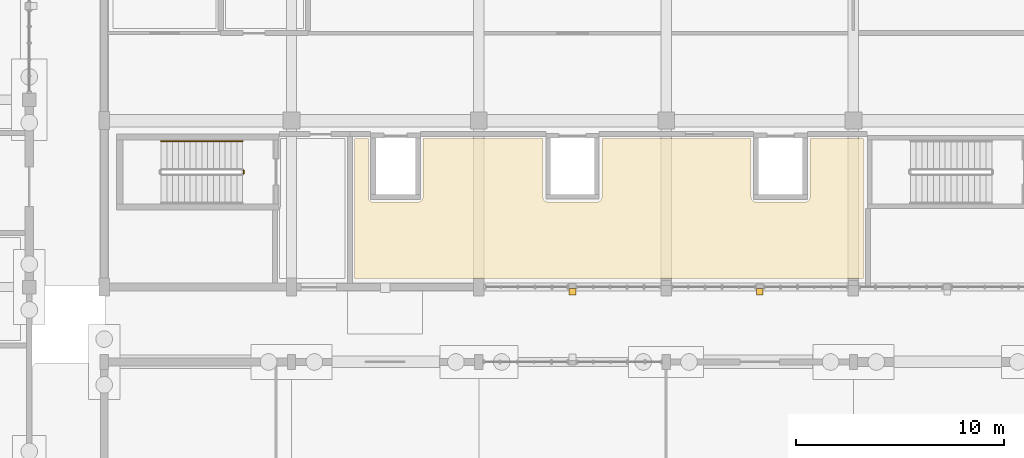
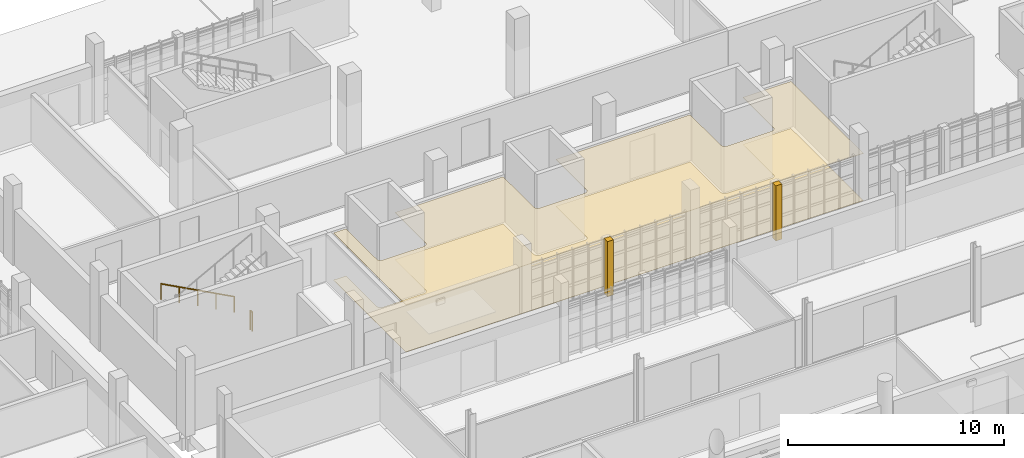
# One storey, part 55 of 63: 4 coverings, 2 railings.
"""IFC4 building model written with IfcOpenShell, lengths in metres."""

from ifc_helpers import new_model, si_unit, direction, frame, origin, origin_2d, place, context, subcontext, project, spatial, polyline, circle, outline, extrude, material, layer, layer_set, type_object, element, save


model = new_model("IFC4")

# Units and contexts
model_context = context("Model", 3, precision=1e-05, world=origin(), true_north=direction((0.0, 1.0)))
body_context = subcontext(model_context, "Body", "Model", "MODEL_VIEW")
ifc_project = project(units=[si_unit("LENGTHUNIT", "METRE"), si_unit("AREAUNIT", "SQUARE_METRE"), si_unit("VOLUMEUNIT", "CUBIC_METRE"), si_unit("PLANEANGLEUNIT", "RADIAN"), si_unit("MASSUNIT", "GRAM", prefix="KILO")], contexts=[model_context])

# Site, building, storey
site_placement = place(None, origin())
site = spatial("IfcSite", under=ifc_project, at=site_placement, CompositionType="ELEMENT")
building_placement = place(site_placement, origin())
building = spatial("IfcBuilding", under=site, at=building_placement, Name="Serraforn Aerial Cableway Station", CompositionType="ELEMENT")
storey_placement = place(building_placement, origin())
storey = spatial("IfcBuildingStorey", under=building, at=storey_placement, Name="L00", CompositionType="ELEMENT", Elevation=0.0)

# Coverings
ifc_material_1 = material(Name="Fluted patinated bronze Art Deco pilaster cladding")
ifc_layer_1 = layer(ifc_material_1, 0.034912109375)
ifc_layer_set_1 = layer_set([ifc_layer_1], Name="Fluted patinated bronze Art Deco pilaster cladding")
covering_type_1 = type_object("IfcCoveringType", Name="COV-CLAD-BRZ", PredefinedType="CLADDING", material=ifc_layer_set_1)
covering_1_placement = place(storey_placement, origin())
element("IfcCovering", 1, at=covering_1_placement, inside=storey, type_object=covering_type_1, Name="Art Deco Bronze Pilaster Cladding CV-L00-S3", PredefinedType="CLADDING", context=body_context, shape_type="SweptSolid", body=[
    extrude(outline(polyline([(49.93994140625, 17.6201171875), (50.260009765625, 17.6201171875), (50.260009765625, 17.93994140625), (49.93994140625, 17.93994140625), (49.93994140625, 17.6201171875)])), origin(), (0.0, 0.0, 1.0), 3.1201171875),
])
covering_2_placement = place(storey_placement, origin())
element("IfcCovering", 2, at=covering_2_placement, inside=storey, type_object=covering_type_1, Name="Art Deco Bronze Pilaster Cladding CV-L00-S4", PredefinedType="CLADDING", context=body_context, shape_type="SweptSolid", body=[
    extrude(outline(polyline([(58.93994140625, 17.6201171875), (59.260009765625, 17.6201171875), (59.260009765625, 17.93994140625), (58.93994140625, 17.93994140625), (58.93994140625, 17.6201171875)])), origin(), (0.0, 0.0, 1.0), 3.1201171875),
])
ifc_material_2 = material(Name="Fire-protective gypsum board ceiling")
ifc_layer_2 = layer(ifc_material_2, 0.02001953125)
ifc_layer_set_2 = layer_set([ifc_layer_2], Name="Fire-protective gypsum board ceiling")
covering_type_2 = type_object("IfcCoveringType", Name="COV-CLG-GYP", PredefinedType="CEILING", material=ifc_layer_set_2)
covering_3_placement = place(storey_placement, frame((0.0, 0.0, 2.659912109375)))
element("IfcCovering", 3, at=covering_3_placement, inside=storey, type_object=covering_type_2, Name="Suspended Ceiling L00-14", PredefinedType="CEILING", context=body_context, shape_type="SweptSolid", body=[
    extrude(outline(polyline([(39.6201171875, 18.419921875), (39.6201171875, 25.1298828125), (40.2900390625, 25.1298828125), (40.2900390625, 22.31005859375), (40.291015625, 22.288330078125), (40.294189453125, 22.26708984375), (40.299560546875, 22.24609375), (40.306640625, 22.225830078125), (40.31591796875, 22.206298828125), (40.3271484375, 22.187744140625), (40.33984375, 22.17041015625), (40.3544921875, 22.154296875), (40.370361328125, 22.139892578125), (40.3876953125, 22.127197265625), (40.40625, 22.115966796875), (40.42578125, 22.106689453125), (40.446044921875, 22.099609375), (40.467041015625, 22.09423828125), (40.48828125, 22.091064453125), (40.510009765625, 22.090087890625), (42.68994140625, 22.090087890625), (42.711669921875, 22.091064453125), (42.73291015625, 22.09423828125), (42.75390625, 22.099609375), (42.774169921875, 22.106689453125), (42.793701171875, 22.115966796875), (42.812255859375, 22.127197265625), (42.82958984375, 22.139892578125), (42.845703125, 22.154296875), (42.860107421875, 22.17041015625), (42.872802734375, 22.187744140625), (42.884033203125, 22.206298828125), (42.893310546875, 22.225830078125), (42.900390625, 22.24609375), (42.90576171875, 22.26708984375), (42.908935546875, 22.288330078125), (42.909912109375, 22.31005859375), (42.909912109375, 25.1298828125), (48.68994140625, 25.1298828125), (48.68994140625, 22.31005859375), (48.691162109375, 22.288330078125), (48.694091796875, 22.26708984375), (48.699462890625, 22.24609375), (48.706787109375, 22.225830078125), (48.716064453125, 22.206298828125), (48.72705078125, 22.187744140625), (48.739990234375, 22.17041015625), (48.75439453125, 22.154296875), (48.7705078125, 22.139892578125), (48.787841796875, 22.127197265625), (48.806396484375, 22.115966796875), (48.82568359375, 22.106689453125), (48.84619140625, 22.099609375), (48.8671875, 22.09423828125), (48.888427734375, 22.091064453125), (48.909912109375, 22.090087890625), (51.2900390625, 22.090087890625), (51.3115234375, 22.091064453125), (51.3330078125, 22.09423828125), (51.35400390625, 22.099609375), (51.374267578125, 22.106689453125), (51.393798828125, 22.115966796875), (51.412109375, 22.127197265625), (51.4296875, 22.139892578125), (51.445556640625, 22.154296875), (51.460205078125, 22.17041015625), (51.472900390625, 22.187744140625), (51.48388671875, 22.206298828125), (51.493408203125, 22.225830078125), (51.50048828125, 22.24609375), (51.505859375, 22.26708984375), (51.5087890625, 22.288330078125), (51.510009765625, 22.31005859375), (51.510009765625, 25.1298828125), (58.68994140625, 25.1298828125), (58.68994140625, 22.31005859375), (58.691162109375, 22.288330078125), (58.694091796875, 22.26708984375), (58.699462890625, 22.24609375), (58.706787109375, 22.225830078125), (58.716064453125, 22.206298828125), (58.72705078125, 22.187744140625), (58.739990234375, 22.17041015625), (58.75439453125, 22.154296875), (58.7705078125, 22.139892578125), (58.787841796875, 22.127197265625), (58.806396484375, 22.115966796875), (58.82568359375, 22.106689453125), (58.84619140625, 22.099609375), (58.8671875, 22.09423828125), (58.888427734375, 22.091064453125), (58.909912109375, 22.090087890625), (61.2900390625, 22.090087890625), (61.3115234375, 22.091064453125), (61.3330078125, 22.09423828125), (61.35400390625, 22.099609375), (61.374267578125, 22.106689453125), (61.393798828125, 22.115966796875), (61.412109375, 22.127197265625), (61.4296875, 22.139892578125), (61.445556640625, 22.154296875), (61.460205078125, 22.17041015625), (61.472900390625, 22.187744140625), (61.48388671875, 22.206298828125), (61.493408203125, 22.225830078125), (61.50048828125, 22.24609375), (61.505859375, 22.26708984375), (61.5087890625, 22.288330078125), (61.510009765625, 22.31005859375), (61.510009765625, 25.1298828125), (64.080078125, 25.1298828125), (64.080078125, 18.419921875), (39.6201171875, 18.419921875)])), origin(), (0.0, 0.0, 1.0), 0.02001953125),
])
ifc_material_3 = material(Name="Heavy-duty non-slip quartz epoxy floor")
ifc_layer_3 = layer(ifc_material_3, 0.014892578125)
ifc_layer_set_3 = layer_set([ifc_layer_3], Name="Heavy-duty non-slip quartz epoxy floor")
covering_type_3 = type_object("IfcCoveringType", Name="COV-FLR-EPOX", PredefinedType="FLOORING", material=ifc_layer_set_3)
covering_4_placement = place(storey_placement, origin())
element("IfcCovering", 4, at=covering_4_placement, inside=storey, type_object=covering_type_3, Name="Flooring L00-14", PredefinedType="FLOORING", context=body_context, shape_type="SweptSolid", body=[
    extrude(outline(polyline([(39.6201171875, 18.419921875), (39.6201171875, 25.1298828125), (40.2900390625, 25.1298828125), (40.2900390625, 22.31005859375), (40.291015625, 22.288330078125), (40.294189453125, 22.26708984375), (40.299560546875, 22.24609375), (40.306640625, 22.225830078125), (40.31591796875, 22.206298828125), (40.3271484375, 22.187744140625), (40.33984375, 22.17041015625), (40.3544921875, 22.154296875), (40.370361328125, 22.139892578125), (40.3876953125, 22.127197265625), (40.40625, 22.115966796875), (40.42578125, 22.106689453125), (40.446044921875, 22.099609375), (40.467041015625, 22.09423828125), (40.48828125, 22.091064453125), (40.510009765625, 22.090087890625), (42.68994140625, 22.090087890625), (42.711669921875, 22.091064453125), (42.73291015625, 22.09423828125), (42.75390625, 22.099609375), (42.774169921875, 22.106689453125), (42.793701171875, 22.115966796875), (42.812255859375, 22.127197265625), (42.82958984375, 22.139892578125), (42.845703125, 22.154296875), (42.860107421875, 22.17041015625), (42.872802734375, 22.187744140625), (42.884033203125, 22.206298828125), (42.893310546875, 22.225830078125), (42.900390625, 22.24609375), (42.90576171875, 22.26708984375), (42.908935546875, 22.288330078125), (42.909912109375, 22.31005859375), (42.909912109375, 25.1298828125), (48.68994140625, 25.1298828125), (48.68994140625, 22.31005859375), (48.691162109375, 22.288330078125), (48.694091796875, 22.26708984375), (48.699462890625, 22.24609375), (48.706787109375, 22.225830078125), (48.716064453125, 22.206298828125), (48.72705078125, 22.187744140625), (48.739990234375, 22.17041015625), (48.75439453125, 22.154296875), (48.7705078125, 22.139892578125), (48.787841796875, 22.127197265625), (48.806396484375, 22.115966796875), (48.82568359375, 22.106689453125), (48.84619140625, 22.099609375), (48.8671875, 22.09423828125), (48.888427734375, 22.091064453125), (48.909912109375, 22.090087890625), (51.2900390625, 22.090087890625), (51.3115234375, 22.091064453125), (51.3330078125, 22.09423828125), (51.35400390625, 22.099609375), (51.374267578125, 22.106689453125), (51.393798828125, 22.115966796875), (51.412109375, 22.127197265625), (51.4296875, 22.139892578125), (51.445556640625, 22.154296875), (51.460205078125, 22.17041015625), (51.472900390625, 22.187744140625), (51.48388671875, 22.206298828125), (51.493408203125, 22.225830078125), (51.50048828125, 22.24609375), (51.505859375, 22.26708984375), (51.5087890625, 22.288330078125), (51.510009765625, 22.31005859375), (51.510009765625, 25.1298828125), (58.68994140625, 25.1298828125), (58.68994140625, 22.31005859375), (58.691162109375, 22.288330078125), (58.694091796875, 22.26708984375), (58.699462890625, 22.24609375), (58.706787109375, 22.225830078125), (58.716064453125, 22.206298828125), (58.72705078125, 22.187744140625), (58.739990234375, 22.17041015625), (58.75439453125, 22.154296875), (58.7705078125, 22.139892578125), (58.787841796875, 22.127197265625), (58.806396484375, 22.115966796875), (58.82568359375, 22.106689453125), (58.84619140625, 22.099609375), (58.8671875, 22.09423828125), (58.888427734375, 22.091064453125), (58.909912109375, 22.090087890625), (61.2900390625, 22.090087890625), (61.3115234375, 22.091064453125), (61.3330078125, 22.09423828125), (61.35400390625, 22.099609375), (61.374267578125, 22.106689453125), (61.393798828125, 22.115966796875), (61.412109375, 22.127197265625), (61.4296875, 22.139892578125), (61.445556640625, 22.154296875), (61.460205078125, 22.17041015625), (61.472900390625, 22.187744140625), (61.48388671875, 22.206298828125), (61.493408203125, 22.225830078125), (61.50048828125, 22.24609375), (61.505859375, 22.26708984375), (61.5087890625, 22.288330078125), (61.510009765625, 22.31005859375), (61.510009765625, 25.1298828125), (64.080078125, 25.1298828125), (64.080078125, 18.419921875), (39.6201171875, 18.419921875)])), origin(), (0.0, 0.0, 1.0), 0.014892578125),
])

# Railings
ifc_material_4 = material(Name="Patinated bronze stair guardrail")
ifc_layer_4 = layer(ifc_material_4, 0.050048828125)
ifc_layer_set_4 = layer_set([ifc_layer_4], Name="Patinated bronze stair guardrail")
railing_type_1 = type_object("IfcRailingType", Name="RL-STR-GRD", PredefinedType="GUARDRAIL", material=ifc_layer_set_4)
railing_1_placement = place(storey_placement, frame((34.300048828125, 23.610107421875, 0.0)))
element("IfcRailing", 5, at=railing_1_placement, inside=storey, type_object=railing_type_1, Name="L00 ST-03 stair guard 4", PredefinedType="GUARDRAIL", context=body_context, shape_type="SweptSolid", body=[
    extrude(circle(Radius=0.02392578125, at=origin_2d()), frame((0.0, 0.0, 1.076171875), z_axis=(0.0, -1.0, 0.0), x_axis=(1.0, 0.0, 0.0)), (0.0, 0.0, 1.0), 0.16015625),
    extrude(circle(Radius=0.02099609375, at=origin_2d()), origin(), (0.0, 0.0, 1.0), 1.052001953125),
    extrude(circle(Radius=0.02099609375, at=origin_2d()), frame((0.0, -0.16015625, 0.0)), (0.0, 0.0, 1.0), 1.052001953125),
])
ifc_material_5 = material(Name="Brushed bronze tubular handrail")
ifc_layer_5 = layer(ifc_material_5, 0.048095703125)
ifc_layer_set_5 = layer_set([ifc_layer_5], Name="Brushed bronze tubular handrail")
railing_type_2 = type_object("IfcRailingType", Name="RL-STR-HDR", PredefinedType="HANDRAIL", material=ifc_layer_set_5)
railing_2_placement = place(storey_placement, frame((34.25, 25.010009765625, 0.14990234375)))
element("IfcRailing", 6, at=railing_2_placement, inside=storey, type_object=railing_type_2, Name="L00 ST-03 stair handrail 1", PredefinedType="HANDRAIL", context=body_context, shape_type="SweptSolid", body=[
    extrude(circle(Radius=0.02392578125, at=origin_2d()), frame((0.0, 0.0, 0.8759765625), z_axis=(-0.881466911329, 0.0, 0.472245787945), x_axis=(0.0, -1.0, 0.0)), (0.0, 0.0, 1.0), 4.447021484375),
    extrude(circle(Radius=0.02099609375, at=origin_2d()), origin(), (0.0, 0.0, 1.0), 0.851806640625),
    extrude(circle(Radius=0.02099609375, at=origin_2d()), frame((-0.97998046875, 0.0, 0.52490234375)), (0.0, 0.0, 1.0), 0.851806640625),
    extrude(circle(Radius=0.02099609375, at=origin_2d()), frame((-1.9599609375, 0.0, 1.050048828125)), (0.0, 0.0, 1.0), 0.851806640625),
    extrude(circle(Radius=0.02099609375, at=origin_2d()), frame((-2.93994140625, 0.0, 1.5751953125)), (0.0, 0.0, 1.0), 0.851806640625),
    extrude(circle(Radius=0.02099609375, at=origin_2d()), frame((-3.919921875, 0.0, 2.10009765625)), (0.0, 0.0, 1.0), 0.851806640625),
])

save(model, "model.ifc")
